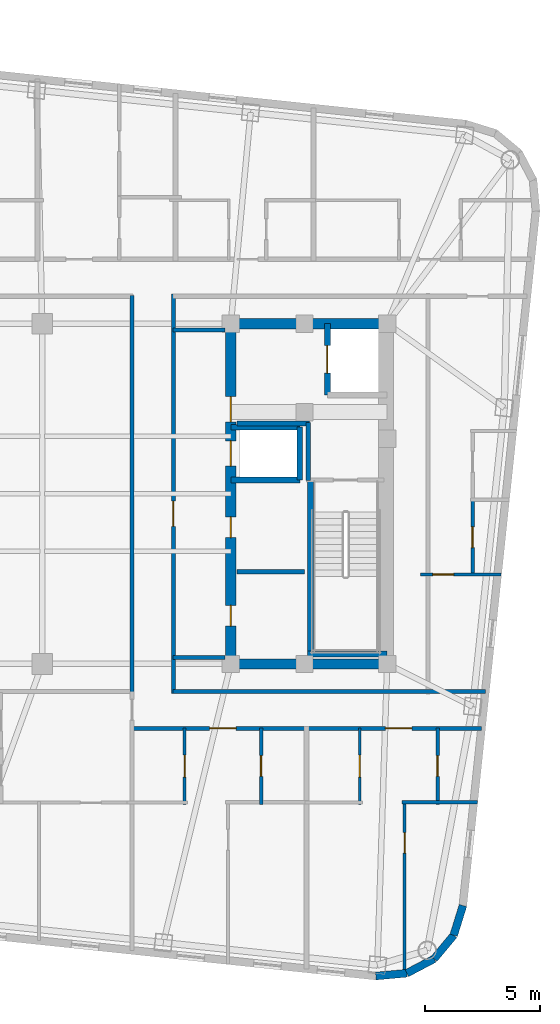
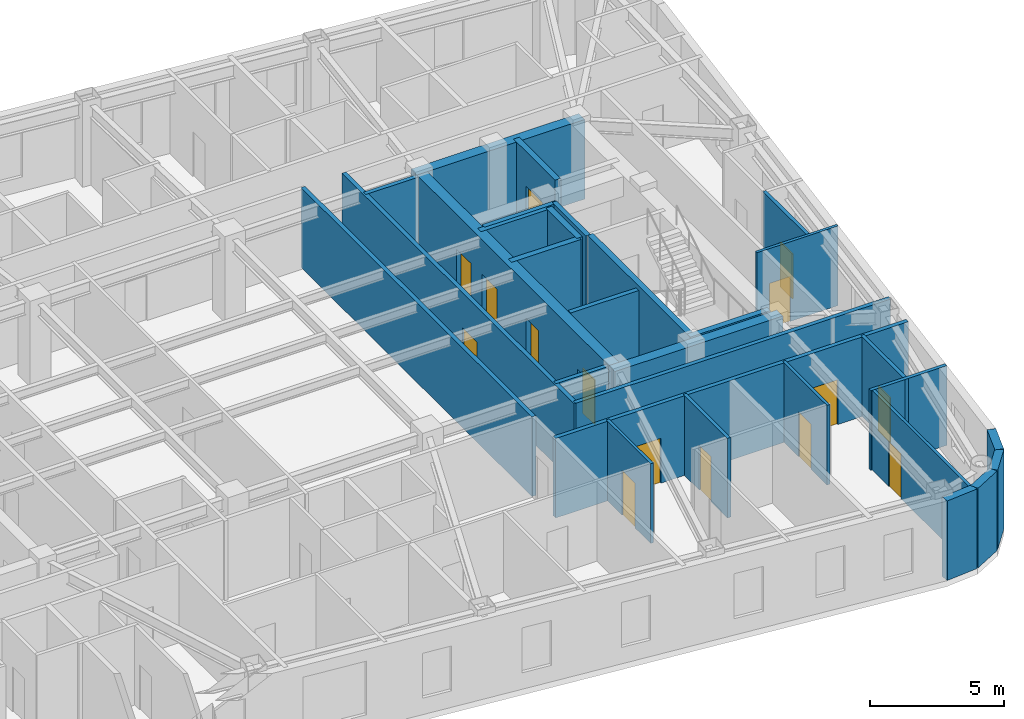
# One storey, part 6 of 11: 30 walls, 15 doors, 15 openings.
"""IFC4 building model written with IfcOpenShell, lengths in metres."""

from ifc_helpers import new_model, si_unit, direction, frame, frame_2d, origin, place, context, subcontext, project, spatial, rectangle, extrude, material, layer, layer_set, type_object, element, fill, save


model = new_model("IFC4")

# Units and contexts
model_context = context("Model", 3, precision=1e-05, world=origin(), true_north=direction((0.0, 1.0)))
body_context = subcontext(model_context, "Body", "Model", "MODEL_VIEW")
ifc_project = project(units=[si_unit("LENGTHUNIT", "METRE"), si_unit("AREAUNIT", "SQUARE_METRE"), si_unit("VOLUMEUNIT", "CUBIC_METRE"), si_unit("PLANEANGLEUNIT", "RADIAN"), si_unit("MASSUNIT", "GRAM", prefix="KILO")], contexts=[model_context])

# Site, building, storey
site_placement = place(None, origin())
site = spatial("IfcSite", under=ifc_project, at=site_placement, CompositionType="ELEMENT")
building_placement = place(site_placement, origin())
building = spatial("IfcBuilding", under=site, at=building_placement, Name="Voryun Gate Residences", CompositionType="ELEMENT")
storey_placement = place(building_placement, frame((0.0, 0.0, 295.10009765625)))
storey = spatial("IfcBuildingStorey", under=building, at=storey_placement, Name="L73", CompositionType="ELEMENT", Elevation=295.10009765625)

# Walls
ifc_material_1 = material(Name="Concrete C50/60", Category="concrete")
ifc_layer_1 = layer(ifc_material_1, 0.449951171875, Name="CW_CORE_450")
ifc_layer_set_1 = layer_set([ifc_layer_1], Name="Concrete C50/60")
wall_type_1 = type_object("IfcWallType", Name="CW_CORE_450", PredefinedType="SHEAR", material=ifc_layer_set_1)
for number, where, z_axis, x_axis, name in (
    (1, (12.175048828125, -7.39990234375, 0.0), (0.0, 0.0, 1.0), (1.0, 0.0, 0.0), "L73 Core shear wall CW-L73-ES"),
    (2, (12.175048828125, 7.39990234375, 0.0), (0.0, 0.0, 1.0), (1.0, 0.0, 0.0), "L73 Core shear wall CW-L73-EN"),
):
    element("IfcWall", number, at=place(storey_placement, frame(where, z_axis=z_axis, x_axis=x_axis)), inside=storey, type_object=wall_type_1, Name=name, PredefinedType="SHEAR", context=body_context, shape_type="SweptSolid", body=[
        extrude(rectangle(XDim=7.25, YDim=0.449951171875, at=frame_2d((3.625, 0.0))), origin(), (0.0, 0.0, 1.0), 3.635009765625),
    ])

# Wall, openings, doors
wall_1_placement = place(storey_placement, frame((12.39990234375, -7.39990234375, 0.0), z_axis=(0.0, 0.0, 1.0), x_axis=(0.0, 1.0, 0.0)))
wall_1 = element("IfcWall", 3, at=wall_1_placement, inside=storey, type_object=wall_type_1, Name="L73 Core shear wall CW-L73-EW", PredefinedType="SHEAR", context=body_context, shape_type="SweptSolid", body=[
    extrude(rectangle(XDim=14.7998046875, YDim=0.449951171875, at=frame_2d((7.39990234375, 0.0))), origin(), (0.0, 0.0, 1.0), 3.635009765625),
])
opening_1_placement = place(wall_1_placement, frame((8.60009765625, 0.0, 0.0)))
opening_1 = element("IfcOpeningElement", 4, at=opening_1_placement, cuts=wall_1, Name="Opening LD2", PredefinedType="OPENING", context=body_context, shape_type="SweptSolid", body=[
    extrude(rectangle(XDim=1.10009765625, YDim=2.050048828125, at=frame_2d((0.550048828125, 1.02490234375))), frame((0.0, 0.235107421875, 0.0), z_axis=(0.0, -1.0, 0.0), x_axis=(1.0, 0.0, 0.0)), (0.0, 0.0, 1.0), 0.469970703125),
])
opening_2_placement = place(wall_1_placement, frame((10.530029296875, 0.0, 0.0)))
opening_2 = element("IfcOpeningElement", 5, at=opening_2_placement, cuts=wall_1, Name="Opening D-FD60-2", PredefinedType="OPENING", context=body_context, shape_type="SweptSolid", body=[
    extrude(rectangle(XDim=1.10009765625, YDim=2.050048828125, at=frame_2d((0.550048828125, 1.02490234375))), frame((0.0, 0.235107421875, 0.0), z_axis=(0.0, -1.0, 0.0), x_axis=(1.0, 0.0, 0.0)), (0.0, 0.0, 1.0), 0.469970703125),
])
opening_3_placement = place(wall_1_placement, frame((1.64990234375, 0.0, 0.0)))
opening_3 = element("IfcOpeningElement", 6, at=opening_3_placement, cuts=wall_1, Name="Opening D-FD60-4", PredefinedType="OPENING", context=body_context, shape_type="SweptSolid", body=[
    extrude(rectangle(XDim=0.89990234375, YDim=2.050048828125, at=frame_2d((0.449951171875, 1.02490234375))), frame((0.0, 0.235107421875, 0.0), z_axis=(0.0, -1.0, 0.0), x_axis=(1.0, 0.0, 0.0)), (0.0, 0.0, 1.0), 0.469970703125),
])
opening_4_placement = place(wall_1_placement, frame((5.5, 0.0, 0.0)))
opening_4 = element("IfcOpeningElement", 7, at=opening_4_placement, cuts=wall_1, Name="Opening D-FD60-4", PredefinedType="OPENING", context=body_context, shape_type="SweptSolid", body=[
    extrude(rectangle(XDim=0.89990234375, YDim=2.050048828125, at=frame_2d((0.449951171875, 1.02490234375))), frame((0.0, 0.235107421875, 0.0), z_axis=(0.0, -1.0, 0.0), x_axis=(1.0, 0.0, 0.0)), (0.0, 0.0, 1.0), 0.469970703125),
])
ifc_material_2 = material(Name="Painted steel fire door", Category="steel")
door_type_1 = type_object("IfcDoorType", Name="DR_FD60_FFLOB_1100", OperationType="NOTDEFINED", PredefinedType="DOOR", material=ifc_material_2)
door_1_placement = place(opening_2_placement, origin())
door_1 = element("IfcDoor", 8, at=door_1_placement, inside=storey, type_object=door_type_1, Name="Door DR-L73-CLOB-E", OperationType="SINGLE_SWING_RIGHT", OverallHeight=2.050048828125, OverallWidth=1.10009765625, PredefinedType="DOOR", context=body_context, shape_type="SweptSolid", body=[
    extrude(rectangle(XDim=1.10009765625, YDim=2.050048828125, at=frame_2d((0.550048828125, 1.02490234375))), frame((0.0, 0.02490234375, 0.0), z_axis=(0.0, -1.0, 0.0), x_axis=(1.0, 0.0, 0.0)), (0.0, 0.0, 1.0), 0.050048828125),
])
fill(opening_2, door_1)
ifc_material_3 = material(Name="Painted steel fire door", Category="steel")
door_type_2 = type_object("IfcDoorType", Name="DR_FD60_RISER_900", OperationType="NOTDEFINED", PredefinedType="DOOR", material=ifc_material_3)
door_2_placement = place(opening_3_placement, origin())
door_2 = element("IfcDoor", 9, at=door_2_placement, inside=storey, type_object=door_type_2, Name="Door DR-L73-RECE-HIS", OperationType="SINGLE_SWING_RIGHT", OverallHeight=2.050048828125, OverallWidth=0.89990234375, PredefinedType="DOOR", context=body_context, shape_type="SweptSolid", body=[
    extrude(rectangle(XDim=0.89990234375, YDim=2.050048828125, at=frame_2d((0.449951171875, 1.02490234375))), frame((0.0, 0.02490234375, 0.0), z_axis=(0.0, -1.0, 0.0), x_axis=(1.0, 0.0, 0.0)), (0.0, 0.0, 1.0), 0.050048828125),
])
fill(opening_3, door_2)
door_3_placement = place(opening_4_placement, origin())
door_3 = element("IfcDoor", 10, at=door_3_placement, inside=storey, type_object=door_type_2, Name="Door DR-L73-RECE-HIN", OperationType="SINGLE_SWING_LEFT", OverallHeight=2.050048828125, OverallWidth=0.89990234375, PredefinedType="DOOR", context=body_context, shape_type="SweptSolid", body=[
    extrude(rectangle(XDim=0.89990234375, YDim=2.050048828125, at=frame_2d((0.449951171875, 1.02490234375))), frame((0.0, 0.02490234375, 0.0), z_axis=(0.0, -1.0, 0.0), x_axis=(1.0, 0.0, 0.0)), (0.0, 0.0, 1.0), 0.050048828125),
])
fill(opening_4, door_3)
ifc_material_4 = material(Name="Anodised aluminium", Category="aluminium")
door_type_3 = type_object("IfcDoorType", Name="DR_LD_PASS_1100", OperationType="NOTDEFINED", PredefinedType="DOOR", material=ifc_material_4)
door_4_placement = place(opening_1_placement, origin())
door_4 = element("IfcDoor", 11, at=door_4_placement, inside=storey, type_object=door_type_3, Name="Lift EL-P8 sliding landing door L73", OperationType="SLIDING_TO_LEFT", OverallHeight=2.050048828125, OverallWidth=1.10009765625, PredefinedType="DOOR", context=body_context, shape_type="SweptSolid", body=[
    extrude(rectangle(XDim=1.10009765625, YDim=2.050048828125, at=frame_2d((0.550048828125, 1.02490234375))), frame((0.0, 0.02490234375, 0.0), z_axis=(0.0, -1.0, 0.0), x_axis=(1.0, 0.0, 0.0)), (0.0, 0.0, 1.0), 0.050048828125),
])
fill(opening_1, door_4)

# Walls
ifc_material_5 = material(Name="Gypsum acoustic fireboard")
ifc_layer_2 = layer(ifc_material_5, 0.179931640625, Name="W_CORR_RATED_180")
ifc_layer_set_2 = layer_set([ifc_layer_2], Name="Gypsum acoustic fireboard")
wall_type_2 = type_object("IfcWallType", Name="W_CORR_RATED_180", PredefinedType="PARTITIONING", material=ifc_layer_set_2)
for number, where, z_axis, x_axis, name in (
    (12, (9.8798828125, 7.1201171875, 0.0), (0.0, 0.0, 1.0), (1.0, 0.0, 0.0), "Partition wall WP-L73-PLBN-E"),
    (13, (9.8798828125, -7.1201171875, 0.0), (0.0, 0.0, 1.0), (1.0, 0.0, 0.0), "Partition wall WP-L73-PLBS-E"),
):
    element("IfcWall", number, at=place(storey_placement, frame(where, z_axis=z_axis, x_axis=x_axis)), inside=storey, type_object=wall_type_2, Name=name, PredefinedType="PARTITIONING", context=body_context, shape_type="SweptSolid", body=[
        extrude(rectangle(XDim=2.27001953125, YDim=0.179931640625, at=frame_2d((1.135009765625, 0.0))), origin(), (0.0, 0.0, 1.0), 3.635009765625),
    ])

# Wall, opening, door
wall_2_placement = place(storey_placement, frame((9.89990234375, -8.679931640625, 0.0), z_axis=(0.0, 0.0, 1.0), x_axis=(0.0, 1.0, 0.0)))
wall_2 = element("IfcWall", 14, at=wall_2_placement, inside=storey, type_object=wall_type_2, Name="Partition wall WP-L73-PLBE-FULL", PredefinedType="PARTITIONING", context=body_context, shape_type="SweptSolid", body=[
    extrude(rectangle(XDim=17.35986328125, YDim=0.179931640625, at=frame_2d((8.679931640625, 0.0))), origin(), (0.0, 0.0, 1.0), 3.635009765625),
])
opening_5_placement = place(wall_2_placement, frame((7.261962890625, 0.0, 0.0)))
opening_5 = element("IfcOpeningElement", 15, at=opening_5_placement, cuts=wall_2, Name="Opening D-FD60-2", PredefinedType="OPENING", context=body_context, shape_type="SweptSolid", body=[
    extrude(rectangle(XDim=1.10009765625, YDim=2.050048828125, at=frame_2d((0.550048828125, 1.02490234375))), frame((0.0, 0.099853515625, 0.0), z_axis=(0.0, -1.0, 0.0), x_axis=(1.0, 0.0, 0.0)), (0.0, 0.0, 1.0), 0.199951171875),
])
door_5_placement = place(opening_5_placement, origin())
door_5 = element("IfcDoor", 16, at=door_5_placement, inside=storey, type_object=door_type_1, Name="Door DR-L73-PLBE-COR", OperationType="SINGLE_SWING_RIGHT", OverallHeight=2.050048828125, OverallWidth=1.10009765625, PredefinedType="DOOR", context=body_context, shape_type="SweptSolid", body=[
    extrude(rectangle(XDim=1.10009765625, YDim=2.050048828125, at=frame_2d((0.550048828125, 1.02490234375))), frame((0.0, 0.02490234375, 0.0), z_axis=(0.0, -1.0, 0.0), x_axis=(1.0, 0.0, 0.0)), (0.0, 0.0, 1.0), 0.050048828125),
])
fill(opening_5, door_5)

# Walls
wall_3_placement = place(storey_placement, frame((9.8798828125, -8.590087890625, 0.0), z_axis=(0.0, 0.0, 1.0), x_axis=(1.0, 0.0, 0.0)))
element("IfcWall", 17, at=wall_3_placement, inside=storey, type_object=wall_type_2, Name="Partition wall WP-L73-CWING-ES", PredefinedType="PARTITIONING", context=body_context, shape_type="SweptSolid", body=[
    extrude(rectangle(XDim=13.594970703125, YDim=0.179931640625, at=frame_2d((6.79736328125, 0.0))), origin(), (0.0, 0.0, 1.0), 3.635009765625),
])
wall_4_placement = place(storey_placement, frame((8.10009765625, -8.6298828125, 0.0), z_axis=(0.0, 0.0, 1.0), x_axis=(0.0, 1.0, 0.0)))
element("IfcWall", 18, at=wall_4_placement, inside=storey, type_object=wall_type_2, Name="Partition wall WP-L73-Z3E", PredefinedType="PARTITIONING", context=body_context, shape_type="SweptSolid", body=[
    extrude(rectangle(XDim=17.259765625, YDim=0.179931640625, at=frame_2d((8.6298828125, 0.0))), origin(), (0.0, 0.0, 1.0), 3.635009765625),
])

# Wall, openings, doors
wall_5_placement = place(storey_placement, frame((8.080078125, -10.199951171875, 0.0), z_axis=(0.0, 0.0, 1.0), x_axis=(1.0, 0.0, 0.0)))
wall_5 = element("IfcWall", 19, at=wall_5_placement, inside=storey, type_object=wall_type_2, Name="Partition wall WP-L73-SCORR-E", PredefinedType="PARTITIONING", context=body_context, shape_type="SweptSolid", body=[
    extrude(rectangle(XDim=15.2255859375, YDim=0.179931640625, at=frame_2d((7.61279296875, 0.0))), origin(), (0.0, 0.0, 1.0), 3.635009765625),
])
opening_6_placement = place(wall_5_placement, frame((3.3974609375, 0.0, 0.0)))
opening_6 = element("IfcOpeningElement", 20, at=opening_6_placement, cuts=wall_5, Name="Opening D-UNIT-1", PredefinedType="OPENING", context=body_context, shape_type="SweptSolid", body=[
    extrude(rectangle(XDim=1.14990234375, YDim=2.050048828125, at=frame_2d((0.574951171875, 1.02490234375))), frame((0.0, 0.099853515625, 0.0), z_axis=(0.0, -1.0, 0.0), x_axis=(1.0, 0.0, 0.0)), (0.0, 0.0, 1.0), 0.199951171875),
])
opening_7_placement = place(wall_5_placement, frame((11.042236328125, 0.0, 0.0)))
opening_7 = element("IfcOpeningElement", 21, at=opening_7_placement, cuts=wall_5, Name="Opening D-UNIT-1", PredefinedType="OPENING", context=body_context, shape_type="SweptSolid", body=[
    extrude(rectangle(XDim=1.14990234375, YDim=2.050048828125, at=frame_2d((0.574951171875, 1.02490234375))), frame((0.0, 0.099853515625, 0.0), z_axis=(0.0, -1.0, 0.0), x_axis=(1.0, 0.0, 0.0)), (0.0, 0.0, 1.0), 0.199951171875),
])
ifc_material_6 = material(Name="Armoured timber-clad fire door", Category="wood")
door_type_4 = type_object("IfcDoorType", Name="DR_UNIT_ENTRY_1150", OperationType="NOTDEFINED", PredefinedType="DOOR", material=ifc_material_6)
door_6_placement = place(opening_6_placement, origin())
door_6 = element("IfcDoor", 22, at=door_6_placement, inside=storey, type_object=door_type_4, Name="Door DR-L73-SENT-6", OperationType="SINGLE_SWING_LEFT", OverallHeight=2.050048828125, OverallWidth=1.14990234375, PredefinedType="DOOR", context=body_context, shape_type="SweptSolid", body=[
    extrude(rectangle(XDim=1.14990234375, YDim=2.050048828125, at=frame_2d((0.574951171875, 1.02490234375))), frame((0.0, 0.02490234375, 0.0), z_axis=(0.0, -1.0, 0.0), x_axis=(1.0, 0.0, 0.0)), (0.0, 0.0, 1.0), 0.050048828125),
])
fill(opening_6, door_6)
door_7_placement = place(opening_7_placement, origin())
door_7 = element("IfcDoor", 23, at=door_7_placement, inside=storey, type_object=door_type_4, Name="Door DR-L73-SENT-7", OperationType="SINGLE_SWING_RIGHT", OverallHeight=2.050048828125, OverallWidth=1.14990234375, PredefinedType="DOOR", context=body_context, shape_type="SweptSolid", body=[
    extrude(rectangle(XDim=1.14990234375, YDim=2.050048828125, at=frame_2d((0.574951171875, 1.02490234375))), frame((0.0, 0.02490234375, 0.0), z_axis=(0.0, -1.0, 0.0), x_axis=(1.0, 0.0, 0.0)), (0.0, 0.0, 1.0), 0.050048828125),
])
fill(opening_7, door_7)

# Walls
ifc_material_7 = material(Name="Charcoal terracotta masonry", Category="masonry")
ifc_layer_3 = layer(ifc_material_7, 0.340087890625, Name="W_EXT_TERRACOTTA_340")
ifc_layer_set_3 = layer_set([ifc_layer_3], Name="Charcoal terracotta masonry")
wall_type_3 = type_object("IfcWallType", Name="W_EXT_TERRACOTTA_340", PredefinedType="ELEMENTEDWALL", material=ifc_layer_set_3)
wall_6_placement = place(storey_placement, frame((22.495849609375, -17.904541015625, 0.0), z_axis=(0.0, 0.0, 1.0), x_axis=(-0.296416228123, -0.955058856671, 0.0)))
element("IfcWall", 24, at=wall_6_placement, inside=storey, type_object=wall_type_3, Name="Exterior wall WEXT-L73-17", PredefinedType="ELEMENTEDWALL", context=body_context, shape_type="SweptSolid", body=[
    extrude(rectangle(XDim=1.35400390625, YDim=0.340087890625, at=frame_2d((0.677001953125, 0.0))), origin(), (0.0, 0.0, 1.0), 3.635009765625),
])
wall_7_placement = place(storey_placement, frame((22.094482421875, -19.19775390625, 0.0), z_axis=(0.0, 0.0, 1.0), x_axis=(-0.639501603217, -0.768789762863, 0.0)))
element("IfcWall", 25, at=wall_7_placement, inside=storey, type_object=wall_type_3, Name="Exterior wall WEXT-L73-18", PredefinedType="ELEMENTEDWALL", context=body_context, shape_type="SweptSolid", body=[
    extrude(rectangle(XDim=1.3369140625, YDim=0.340087890625, at=frame_2d((0.66845703125, 0.0))), origin(), (0.0, 0.0, 1.0), 3.635009765625),
])
wall_8_placement = place(storey_placement, frame((21.239501953125, -20.2255859375, 0.0), z_axis=(0.0, 0.0, 1.0), x_axis=(-0.884922182678, -0.465738908193, 0.0)))
element("IfcWall", 26, at=wall_8_placement, inside=storey, type_object=wall_type_3, Name="Exterior wall WEXT-L73-19", PredefinedType="ELEMENTEDWALL", context=body_context, shape_type="SweptSolid", body=[
    extrude(rectangle(XDim=1.337158203125, YDim=0.340087890625, at=frame_2d((0.66845703125, 0.0))), origin(), (0.0, 0.0, 1.0), 3.635009765625),
])
wall_9_placement = place(storey_placement, frame((20.05615234375, -20.848388671875, 0.0), z_axis=(0.0, 0.0, 1.0), x_axis=(-0.995813013343, -0.091413579172, 0.0)))
element("IfcWall", 27, at=wall_9_placement, inside=storey, type_object=wall_type_3, Name="Exterior wall WEXT-L73-20", PredefinedType="ELEMENTEDWALL", context=body_context, shape_type="SweptSolid", body=[
    extrude(rectangle(XDim=1.35400390625, YDim=0.340087890625, at=frame_2d((0.677001953125, 0.0))), origin(), (0.0, 0.0, 1.0), 3.635009765625),
])
ifc_material_8 = material(Name="Concrete C40/50", Category="concrete")
ifc_layer_4 = layer(ifc_material_8, 0.199951171875, Name="W_FF_LOBBY_200")
ifc_layer_set_4 = layer_set([ifc_layer_4], Name="Concrete C40/50")
wall_type_4 = type_object("IfcWallType", Name="W_FF_LOBBY_200", PredefinedType="PARTITIONING", material=ifc_layer_set_4)
wall_10_placement = place(storey_placement, frame((15.760009765625, 0.580078125, 0.0), z_axis=(0.0, 0.0, 1.0), x_axis=(0.0, 1.0, 0.0)))
element("IfcWall", 28, at=wall_10_placement, inside=storey, type_object=wall_type_4, Name="Partition wall WP-L73-FFP0-E", PredefinedType="PARTITIONING", context=body_context, shape_type="SweptSolid", body=[
    extrude(rectangle(XDim=2.52001953125, YDim=0.199951171875, at=frame_2d((1.260009765625, 0.0))), origin(), (0.0, 0.0, 1.0), 3.635009765625),
])
wall_11_placement = place(storey_placement, frame((12.659912109375, 3.06005859375, 0.0), z_axis=(0.0, 0.0, 1.0), x_axis=(1.0, 0.0, 0.0)))
element("IfcWall", 29, at=wall_11_placement, inside=storey, type_object=wall_type_4, Name="Partition wall WP-L73-FFPS-E", PredefinedType="PARTITIONING", context=body_context, shape_type="SweptSolid", body=[
    extrude(rectangle(XDim=3.16015625, YDim=0.199951171875, at=frame_2d((1.580078125, 0.0))), origin(), (0.0, 0.0, 1.0), 3.635009765625),
])
wall_12_placement = place(storey_placement, frame((12.659912109375, -3.389892578125, 0.0), z_axis=(0.0, 0.0, 1.0), x_axis=(1.0, 0.0, 0.0)))
element("IfcWall", 30, at=wall_12_placement, inside=storey, type_object=wall_type_4, Name="Partition wall WP-L73-RECEY-HI", PredefinedType="PARTITIONING", context=body_context, shape_type="SweptSolid", body=[
    extrude(rectangle(XDim=2.940185546875, YDim=0.199951171875, at=frame_2d((1.47021484375, 0.0))), origin(), (0.0, 0.0, 1.0), 3.635009765625),
])
ifc_material_9 = material(Name="Concrete C50/60", Category="concrete")
ifc_layer_5 = layer(ifc_material_9, 0.25, Name="W_SHAFT_RC250")
ifc_layer_set_5 = layer_set([ifc_layer_5], Name="Concrete C50/60")
wall_type_5 = type_object("IfcWallType", Name="W_SHAFT_RC250", PredefinedType="SOLIDWALL", material=ifc_layer_set_5)
wall_13_placement = place(storey_placement, frame((15.860107421875, -7.0849609375, 0.0), z_axis=(0.0, 0.0, 1.0), x_axis=(0.0, 1.0, 0.0)))
element("IfcWall", 31, at=wall_13_placement, inside=storey, type_object=wall_type_5, Name="L73 Stair shaft structural wall E-STL", PredefinedType="SOLIDWALL", context=body_context, shape_type="SweptSolid", body=[
    extrude(rectangle(XDim=7.68505859375, YDim=0.25, at=frame_2d((3.842529296875, 0.0))), origin(), (0.0, 0.0, 1.0), 3.635009765625),
])
wall_14_placement = place(storey_placement, frame((15.739990234375, -6.965087890625, 0.0), z_axis=(0.0, 0.0, 1.0), x_axis=(1.0, 0.0, 0.0)))
element("IfcWall", 32, at=wall_14_placement, inside=storey, type_object=wall_type_5, Name="L73 Stair shaft structural wall E-STS", PredefinedType="SOLIDWALL", context=body_context, shape_type="SweptSolid", body=[
    extrude(rectangle(XDim=3.4599609375, YDim=0.25, at=frame_2d((1.72998046875, 0.0))), origin(), (0.0, 0.0, 1.0), 3.635009765625),
])

# Wall, opening, door
wall_15_placement = place(storey_placement, frame((16.60009765625, 7.39990234375, 0.0), z_axis=(0.0, 0.0, 1.0), x_axis=(0.0, -1.0, 0.0)))
wall_15 = element("IfcWall", 33, at=wall_15_placement, inside=storey, type_object=wall_type_5, Name="Lift shaft wall WSH-L73-EL-FF-E1-W", PredefinedType="SOLIDWALL", context=body_context, shape_type="SweptSolid", body=[
    extrude(rectangle(XDim=3.099853515625, YDim=0.25, at=frame_2d((1.5498046875, 0.0))), origin(), (0.0, 0.0, 1.0), 3.635009765625),
])
opening_8_placement = place(wall_15_placement, frame((0.949951171875, 0.0, 0.0)))
opening_8 = element("IfcOpeningElement", 34, at=opening_8_placement, cuts=wall_15, Name="Opening LD1", PredefinedType="OPENING", context=body_context, shape_type="SweptSolid", body=[
    extrude(rectangle(XDim=1.199951171875, YDim=2.050048828125, at=frame_2d((0.60009765625, 1.02490234375))), frame((0.0, 0.135009765625, 0.0), z_axis=(0.0, -1.0, 0.0), x_axis=(1.0, 0.0, 0.0)), (0.0, 0.0, 1.0), 0.27001953125),
])
ifc_material_10 = material(Name="Anodised aluminium", Category="aluminium")
door_type_5 = type_object("IfcDoorType", Name="DR_LD_FF_1200", OperationType="NOTDEFINED", PredefinedType="DOOR", material=ifc_material_10)
door_8_placement = place(opening_8_placement, origin())
door_8 = element("IfcDoor", 35, at=door_8_placement, inside=storey, type_object=door_type_5, Name="Lift EL-FF-E1 sliding landing door L73", OperationType="SLIDING_TO_LEFT", OverallHeight=2.050048828125, OverallWidth=1.199951171875, PredefinedType="DOOR", context=body_context, shape_type="SweptSolid", body=[
    extrude(rectangle(XDim=1.199951171875, YDim=2.050048828125, at=frame_2d((0.60009765625, 1.02490234375))), frame((0.0, 0.02490234375, 0.0), z_axis=(0.0, -1.0, 0.0), x_axis=(1.0, 0.0, 0.0)), (0.0, 0.0, 1.0), 0.050048828125),
])
fill(opening_8, door_8)

# Walls
wall_16_placement = place(storey_placement, frame((12.39990234375, 0.60009765625, 0.0), z_axis=(0.0, 0.0, 1.0), x_axis=(1.0, 0.0, 0.0)))
element("IfcWall", 36, at=wall_16_placement, inside=storey, type_object=wall_type_5, Name="Lift shaft wall WSH-L73-EL-P8-S", PredefinedType="SOLIDWALL", context=body_context, shape_type="SweptSolid", body=[
    extrude(rectangle(XDim=3.0, YDim=0.25, at=frame_2d((1.5, 0.0))), origin(), (0.0, 0.0, 1.0), 3.635009765625),
])
wall_17_placement = place(storey_placement, frame((15.39990234375, 0.60009765625, 0.0), z_axis=(0.0, 0.0, 1.0), x_axis=(0.0, 1.0, 0.0)))
element("IfcWall", 37, at=wall_17_placement, inside=storey, type_object=wall_type_5, Name="Lift shaft wall WSH-L73-EL-P8-E", PredefinedType="SOLIDWALL", context=body_context, shape_type="SweptSolid", body=[
    extrude(rectangle(XDim=2.2998046875, YDim=0.25, at=frame_2d((1.14990234375, 0.0))), origin(), (0.0, 0.0, 1.0), 3.635009765625),
])
wall_18_placement = place(storey_placement, frame((15.39990234375, 2.89990234375, 0.0), z_axis=(0.0, 0.0, 1.0), x_axis=(-1.0, 0.0, 0.0)))
element("IfcWall", 38, at=wall_18_placement, inside=storey, type_object=wall_type_5, Name="Lift shaft wall WSH-L73-EL-P8-N", PredefinedType="SOLIDWALL", context=body_context, shape_type="SweptSolid", body=[
    extrude(rectangle(XDim=3.0, YDim=0.25, at=frame_2d((1.5, 0.0))), origin(), (0.0, 0.0, 1.0), 3.635009765625),
])

# Wall, opening, door
ifc_material_11 = material(Name="Gypsum acoustic partition")
ifc_layer_6 = layer(ifc_material_11, 0.125, Name="W_UNIT_PART_125")
ifc_layer_set_6 = layer_set([ifc_layer_6], Name="Gypsum acoustic partition")
wall_type_6 = type_object("IfcWallType", Name="W_UNIT_PART_125", PredefinedType="PARTITIONING", material=ifc_layer_set_6)
wall_19_placement = place(storey_placement, frame((10.389892578125, -13.5, 0.0), z_axis=(0.0, 0.0, 1.0), x_axis=(0.0, 1.0, 0.0)))
wall_19 = element("IfcWall", 39, at=wall_19_placement, inside=storey, type_object=wall_type_6, Name="Partition wall WP-L73-S6-IVK", PredefinedType="PARTITIONING", context=body_context, shape_type="SweptSolid", body=[
    extrude(rectangle(XDim=3.320068359375, YDim=0.125, at=frame_2d((1.66015625, 0.0))), origin(), (0.0, 0.0, 1.0), 3.635009765625),
])
opening_9_placement = place(wall_19_placement, frame((1.18505859375, 0.0, 0.0)))
opening_9 = element("IfcOpeningElement", 40, at=opening_9_placement, cuts=wall_19, Name="Opening D-INT-1", PredefinedType="OPENING", context=body_context, shape_type="SweptSolid", body=[
    extrude(rectangle(XDim=0.949951171875, YDim=2.050048828125, at=frame_2d((0.47509765625, 1.02490234375))), frame((0.0, 0.072509765625, 0.0), z_axis=(0.0, -1.0, 0.0), x_axis=(1.0, 0.0, 0.0)), (0.0, 0.0, 1.0), 0.14501953125),
])
ifc_material_12 = material(Name="Architectural oak veneer")
door_type_6 = type_object("IfcDoorType", Name="DR_INT_ROOM_950", OperationType="NOTDEFINED", PredefinedType="DOOR", material=ifc_material_12)
door_9_placement = place(opening_9_placement, origin())
door_9 = element("IfcDoor", 41, at=door_9_placement, inside=storey, type_object=door_type_6, Name="Door DR-L73-S6-DK", OperationType="SINGLE_SWING_LEFT", OverallHeight=2.050048828125, OverallWidth=0.949951171875, PredefinedType="DOOR", context=body_context, shape_type="SweptSolid", body=[
    extrude(rectangle(XDim=0.949951171875, YDim=2.050048828125, at=frame_2d((0.47509765625, 1.02490234375))), frame((0.0, 0.02490234375, 0.0), z_axis=(0.0, -1.0, 0.0), x_axis=(1.0, 0.0, 0.0)), (0.0, 0.0, 1.0), 0.050048828125),
])
fill(opening_9, door_9)

wall_20_placement = place(storey_placement, frame((19.9599609375, -21.0078125, 0.0), z_axis=(0.0, 0.0, 1.0), x_axis=(0.0, 1.0, 0.0)))
wall_20 = element("IfcWall", 42, at=wall_20_placement, inside=storey, type_object=wall_type_6, Name="Partition wall WP-L73-S7-OVR", PredefinedType="PARTITIONING", context=body_context, shape_type="SweptSolid", body=[
    extrude(rectangle(XDim=7.667724609375, YDim=0.125, at=frame_2d((3.833984375, 0.0))), origin(), (0.0, 0.0, 1.0), 3.635009765625),
])
opening_10_placement = place(wall_20_placement, frame((5.37744140625, 0.0, 0.0)))
opening_10 = element("IfcOpeningElement", 43, at=opening_10_placement, cuts=wall_20, Name="Opening D-INT-2", PredefinedType="OPENING", context=body_context, shape_type="SweptSolid", body=[
    extrude(rectangle(XDim=0.89990234375, YDim=2.050048828125, at=frame_2d((0.449951171875, 1.02490234375))), frame((0.0, 0.072509765625, 0.0), z_axis=(0.0, -1.0, 0.0), x_axis=(1.0, 0.0, 0.0)), (0.0, 0.0, 1.0), 0.14501953125),
])
ifc_material_13 = material(Name="Architectural oak veneer")
door_type_7 = type_object("IfcDoorType", Name="DR_INT_BATH_900", OperationType="NOTDEFINED", PredefinedType="DOOR", material=ifc_material_13)
door_10_placement = place(opening_10_placement, origin())
door_10 = element("IfcDoor", 44, at=door_10_placement, inside=storey, type_object=door_type_7, Name="Door DR-L73-S7-DMB", OperationType="SINGLE_SWING_RIGHT", OverallHeight=2.050048828125, OverallWidth=0.89990234375, PredefinedType="DOOR", context=body_context, shape_type="SweptSolid", body=[
    extrude(rectangle(XDim=0.89990234375, YDim=2.050048828125, at=frame_2d((0.449951171875, 1.02490234375))), frame((0.0, 0.02490234375, 0.0), z_axis=(0.0, -1.0, 0.0), x_axis=(1.0, 0.0, 0.0)), (0.0, 0.0, 1.0), 0.050048828125),
])
fill(opening_10, door_10)

wall_21_placement = place(storey_placement, frame((18.0048828125, -13.5, 0.0), z_axis=(0.0, 0.0, 1.0), x_axis=(0.0, 1.0, 0.0)))
wall_21 = element("IfcWall", 45, at=wall_21_placement, inside=storey, type_object=wall_type_6, Name="Partition wall WP-L73-S7-IVK", PredefinedType="PARTITIONING", context=body_context, shape_type="SweptSolid", body=[
    extrude(rectangle(XDim=3.320068359375, YDim=0.125, at=frame_2d((1.66015625, 0.0))), origin(), (0.0, 0.0, 1.0), 3.635009765625),
])
opening_11_placement = place(wall_21_placement, frame((1.18505859375, 0.0, 0.0)))
opening_11 = element("IfcOpeningElement", 46, at=opening_11_placement, cuts=wall_21, Name="Opening D-INT-1", PredefinedType="OPENING", context=body_context, shape_type="SweptSolid", body=[
    extrude(rectangle(XDim=0.949951171875, YDim=2.050048828125, at=frame_2d((0.47509765625, 1.02490234375))), frame((0.0, 0.072509765625, 0.0), z_axis=(0.0, -1.0, 0.0), x_axis=(1.0, 0.0, 0.0)), (0.0, 0.0, 1.0), 0.14501953125),
])
door_11_placement = place(opening_11_placement, origin())
door_11 = element("IfcDoor", 47, at=door_11_placement, inside=storey, type_object=door_type_6, Name="Door DR-L73-S7-DK", OperationType="SINGLE_SWING_LEFT", OverallHeight=2.050048828125, OverallWidth=0.949951171875, PredefinedType="DOOR", context=body_context, shape_type="SweptSolid", body=[
    extrude(rectangle(XDim=0.949951171875, YDim=2.050048828125, at=frame_2d((0.47509765625, 1.02490234375))), frame((0.0, 0.02490234375, 0.0), z_axis=(0.0, -1.0, 0.0), x_axis=(1.0, 0.0, 0.0)), (0.0, 0.0, 1.0), 0.050048828125),
])
fill(opening_11, door_11)

wall_22_placement = place(storey_placement, frame((20.64990234375, -3.510009765625, 0.0), z_axis=(0.0, 0.0, 1.0), x_axis=(1.0, 0.0, 0.0)))
wall_22 = element("IfcWall", 48, at=wall_22_placement, inside=storey, type_object=wall_type_6, Name="Partition wall WP-L73-E1-HZ3", PredefinedType="PARTITIONING", context=body_context, shape_type="SweptSolid", body=[
    extrude(rectangle(XDim=3.509765625, YDim=0.125, at=frame_2d((1.7548828125, 0.0))), origin(), (0.0, 0.0, 1.0), 3.635009765625),
])
opening_12_placement = place(wall_22_placement, frame((0.5419921875, 0.0, 0.0)))
opening_12 = element("IfcOpeningElement", 49, at=opening_12_placement, cuts=wall_22, Name="Opening D-INT-2", PredefinedType="OPENING", context=body_context, shape_type="SweptSolid", body=[
    extrude(rectangle(XDim=0.89990234375, YDim=2.050048828125, at=frame_2d((0.449951171875, 1.02490234375))), frame((0.0, 0.072509765625, 0.0), z_axis=(0.0, -1.0, 0.0), x_axis=(1.0, 0.0, 0.0)), (0.0, 0.0, 1.0), 0.14501953125),
])
door_12_placement = place(opening_12_placement, origin())
door_12 = element("IfcDoor", 50, at=door_12_placement, inside=storey, type_object=door_type_7, Name="Door DR-L73-E1-DMB", OperationType="SINGLE_SWING_LEFT", OverallHeight=2.050048828125, OverallWidth=0.89990234375, PredefinedType="DOOR", context=body_context, shape_type="SweptSolid", body=[
    extrude(rectangle(XDim=0.89990234375, YDim=2.050048828125, at=frame_2d((0.449951171875, 1.02490234375))), frame((0.0, 0.02490234375, 0.0), z_axis=(0.0, -1.0, 0.0), x_axis=(1.0, 0.0, 0.0)), (0.0, 0.0, 1.0), 0.050048828125),
])
fill(opening_12, door_12)

ifc_material_14 = material(Name="Gypsum moisture-resistant partition")
ifc_layer_7 = layer(ifc_material_14, 0.14990234375, Name="W_WET_PLUMB_150")
ifc_layer_set_7 = layer_set([ifc_layer_7], Name="Gypsum moisture-resistant partition")
wall_type_7 = type_object("IfcWallType", Name="W_WET_PLUMB_150", PredefinedType="PLUMBINGWALL", material=ifc_layer_set_7)
wall_23_placement = place(storey_placement, frame((13.715087890625, -13.5, 0.0), z_axis=(0.0, 0.0, 1.0), x_axis=(0.0, 1.0, 0.0)))
wall_23 = element("IfcWall", 51, at=wall_23_placement, inside=storey, type_object=wall_type_7, Name="Partition wall WP-L73-S6-IVB", PredefinedType="PLUMBINGWALL", context=body_context, shape_type="SweptSolid", body=[
    extrude(rectangle(XDim=3.320068359375, YDim=0.14990234375, at=frame_2d((1.66015625, 0.0))), origin(), (0.0, 0.0, 1.0), 3.635009765625),
])
opening_13_placement = place(wall_23_placement, frame((1.2099609375, 0.0, 0.0)))
opening_13 = element("IfcOpeningElement", 52, at=opening_13_placement, cuts=wall_23, Name="Opening D-INT-2", PredefinedType="OPENING", context=body_context, shape_type="SweptSolid", body=[
    extrude(rectangle(XDim=0.89990234375, YDim=2.050048828125, at=frame_2d((0.449951171875, 1.02490234375))), frame((0.0, 0.0849609375, 0.0), z_axis=(0.0, -1.0, 0.0), x_axis=(1.0, 0.0, 0.0)), (0.0, 0.0, 1.0), 0.169921875),
])
door_13_placement = place(opening_13_placement, origin())
door_13 = element("IfcDoor", 53, at=door_13_placement, inside=storey, type_object=door_type_7, Name="Door DR-L73-S6-DB", OperationType="SINGLE_SWING_RIGHT", OverallHeight=2.050048828125, OverallWidth=0.89990234375, PredefinedType="DOOR", context=body_context, shape_type="SweptSolid", body=[
    extrude(rectangle(XDim=0.89990234375, YDim=2.050048828125, at=frame_2d((0.449951171875, 1.02490234375))), frame((0.0, 0.02490234375, 0.0), z_axis=(0.0, -1.0, 0.0), x_axis=(1.0, 0.0, 0.0)), (0.0, 0.0, 1.0), 0.050048828125),
])
fill(opening_13, door_13)

# Wall
wall_24_placement = place(storey_placement, frame((19.840087890625, -13.419921875, 0.0), z_axis=(0.0, 0.0, 1.0), x_axis=(1.0, 0.0, 0.0)))
element("IfcWall", 54, at=wall_24_placement, inside=storey, type_object=wall_type_7, Name="Partition wall WP-L73-S7-HZB", PredefinedType="PLUMBINGWALL", context=body_context, shape_type="SweptSolid", body=[
    extrude(rectangle(XDim=3.278076171875, YDim=0.14990234375, at=frame_2d((1.63916015625, 0.0))), origin(), (0.0, 0.0, 1.0), 3.635009765625),
])

# Wall, opening, door
wall_25_placement = place(storey_placement, frame((21.389892578125, -13.5, 0.0), z_axis=(0.0, 0.0, 1.0), x_axis=(0.0, 1.0, 0.0)))
wall_25 = element("IfcWall", 55, at=wall_25_placement, inside=storey, type_object=wall_type_7, Name="Partition wall WP-L73-S7-IVB", PredefinedType="PLUMBINGWALL", context=body_context, shape_type="SweptSolid", body=[
    extrude(rectangle(XDim=3.320068359375, YDim=0.14990234375, at=frame_2d((1.66015625, 0.0))), origin(), (0.0, 0.0, 1.0), 3.635009765625),
])
opening_14_placement = place(wall_25_placement, frame((1.2099609375, 0.0, 0.0)))
opening_14 = element("IfcOpeningElement", 56, at=opening_14_placement, cuts=wall_25, Name="Opening D-INT-2", PredefinedType="OPENING", context=body_context, shape_type="SweptSolid", body=[
    extrude(rectangle(XDim=0.89990234375, YDim=2.050048828125, at=frame_2d((0.449951171875, 1.02490234375))), frame((0.0, 0.0849609375, 0.0), z_axis=(0.0, -1.0, 0.0), x_axis=(1.0, 0.0, 0.0)), (0.0, 0.0, 1.0), 0.169921875),
])
door_14_placement = place(opening_14_placement, origin())
door_14 = element("IfcDoor", 57, at=door_14_placement, inside=storey, type_object=door_type_7, Name="Door DR-L73-S7-DB", OperationType="SINGLE_SWING_RIGHT", OverallHeight=2.050048828125, OverallWidth=0.89990234375, PredefinedType="DOOR", context=body_context, shape_type="SweptSolid", body=[
    extrude(rectangle(XDim=0.89990234375, YDim=2.050048828125, at=frame_2d((0.449951171875, 1.02490234375))), frame((0.0, 0.02490234375, 0.0), z_axis=(0.0, -1.0, 0.0), x_axis=(1.0, 0.0, 0.0)), (0.0, 0.0, 1.0), 0.050048828125),
])
fill(opening_14, door_14)

wall_26_placement = place(storey_placement, frame((22.9130859375, -3.550048828125, 0.0), z_axis=(0.0, 0.0, 1.0), x_axis=(0.0, 1.0, 0.0)))
wall_26 = element("IfcWall", 58, at=wall_26_placement, inside=storey, type_object=wall_type_7, Name="Partition wall WP-L73-E1-VKB1", PredefinedType="PLUMBINGWALL", context=body_context, shape_type="SweptSolid", body=[
    extrude(rectangle(XDim=3.330078125, YDim=0.14990234375, at=frame_2d((1.6650390625, 0.0))), origin(), (0.0, 0.0, 1.0), 3.635009765625),
])
opening_15_placement = place(wall_26_placement, frame((1.215087890625, 0.0, 0.0)))
opening_15 = element("IfcOpeningElement", 59, at=opening_15_placement, cuts=wall_26, Name="Opening D-INT-2", PredefinedType="OPENING", context=body_context, shape_type="SweptSolid", body=[
    extrude(rectangle(XDim=0.89990234375, YDim=2.050048828125, at=frame_2d((0.449951171875, 1.02490234375))), frame((0.0, 0.0849609375, 0.0), z_axis=(0.0, -1.0, 0.0), x_axis=(1.0, 0.0, 0.0)), (0.0, 0.0, 1.0), 0.169921875),
])
door_15_placement = place(opening_15_placement, origin())
door_15 = element("IfcDoor", 60, at=door_15_placement, inside=storey, type_object=door_type_7, Name="Door DR-L73-E1-DB", OperationType="SINGLE_SWING_LEFT", OverallHeight=2.050048828125, OverallWidth=0.89990234375, PredefinedType="DOOR", context=body_context, shape_type="SweptSolid", body=[
    extrude(rectangle(XDim=0.89990234375, YDim=2.050048828125, at=frame_2d((0.449951171875, 1.02490234375))), frame((0.0, 0.02490234375, 0.0), z_axis=(0.0, -1.0, 0.0), x_axis=(1.0, 0.0, 0.0)), (0.0, 0.0, 1.0), 0.050048828125),
])
fill(opening_15, door_15)

save(model, "model.ifc")
